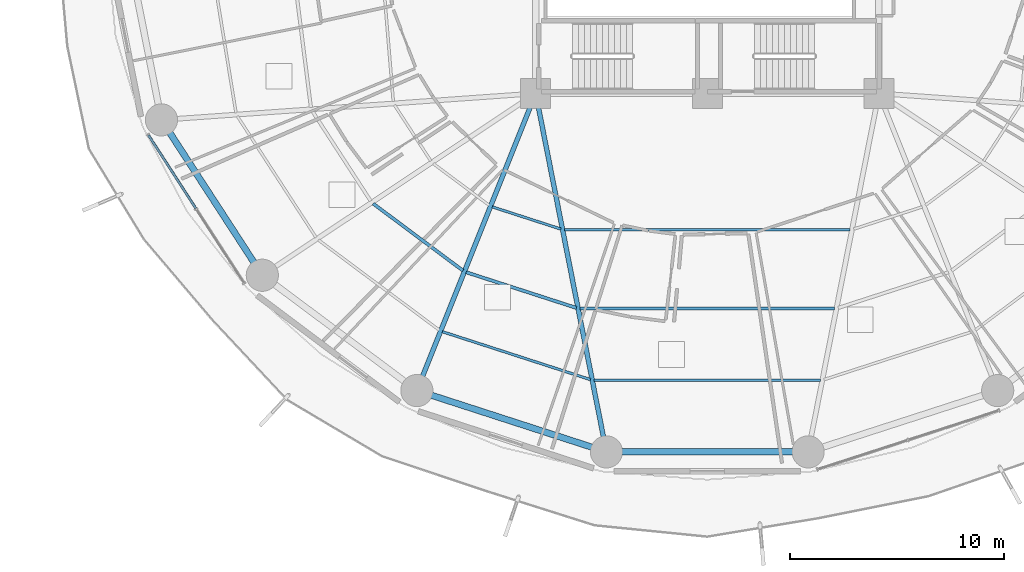
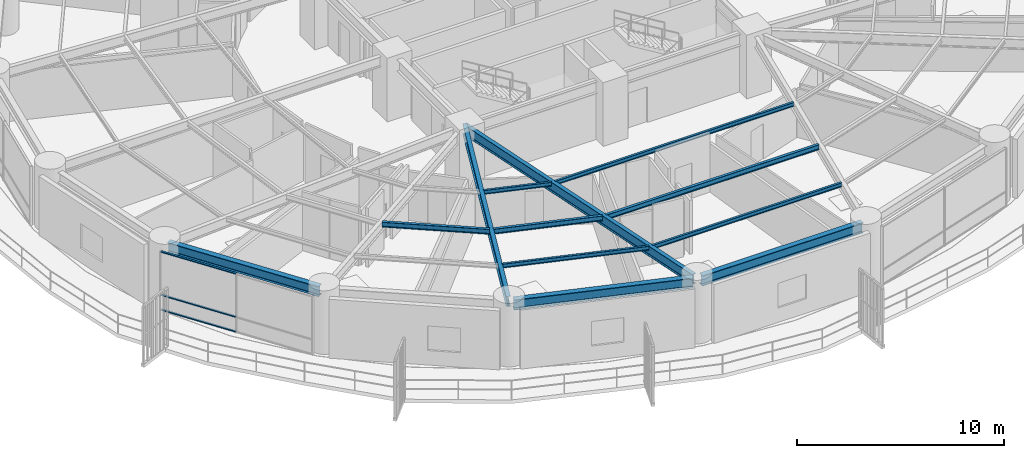
# One storey, part 3 of 34: 12 beams, 3 members, 1 element without a shape of its own.
"""IFC4 building model written with IfcOpenShell, lengths in metres."""

from ifc_helpers import new_model, si_unit, direction, frame, origin, origin_2d, place, context, subcontext, project, spatial, hollow_rectangle, i_section, extrude, material, layer, layer_set, material_profile, profile_set, type_object, element, aggregate, save


model = new_model("IFC4")

# Units and contexts
model_context = context("Model", 3, precision=1e-05, world=origin(), true_north=direction((0.0, 1.0)))
body_context = subcontext(model_context, "Body", "Model", "MODEL_VIEW")
ifc_project = project(units=[si_unit("LENGTHUNIT", "METRE"), si_unit("AREAUNIT", "SQUARE_METRE"), si_unit("VOLUMEUNIT", "CUBIC_METRE"), si_unit("PLANEANGLEUNIT", "RADIAN"), si_unit("MASSUNIT", "GRAM", prefix="KILO")], contexts=[model_context])

# Site, building, storey
site_placement = place(None, origin())
site = spatial("IfcSite", under=ifc_project, at=site_placement, CompositionType="ELEMENT")
building_placement = place(site_placement, origin())
building = spatial("IfcBuilding", under=site, at=building_placement, Name="Kelanora Arch Commons", CompositionType="ELEMENT")
storey_placement = place(building_placement, frame((0.0, 0.0, 33.75)))
storey = spatial("IfcBuildingStorey", under=building, at=storey_placement, Name="L08", CompositionType="ELEMENT", Elevation=33.75)

# Beams
ifc_material_1 = material(Name="Steel S355", Category="steel")
ifc_material_profile_1 = material_profile(ifc_material_1, i_section(OverallWidth=0.14990234375, OverallDepth=0.300048828125, WebThickness=0.007080078125, FlangeThickness=0.0107421875, FilletRadius=0.014892578125, at=origin_2d()), Name="IPE300")
ifc_profile_set_1 = profile_set([ifc_material_profile_1], Name="Steel S355")
beam_type_1 = type_object("IfcBeamType", Name="BM-JST-01", PredefinedType="JOIST", material=ifc_profile_set_1)
beam_1_placement = place(storey_placement, frame((58.42138671875, 45.8623046875, 3.340087890625), z_axis=(0.801478251559, -0.598023922831, 0.0), x_axis=(0.598023922831, 0.801478251559, 0.0)))
element("IfcBeam", 1, at=beam_1_placement, inside=storey, type_object=beam_type_1, Name="Secondary Chord Joist BJB-22 L08", PredefinedType="JOIST", context=body_context, shape_type="SweptSolid", body=[
    extrude(i_section(OverallWidth=0.14990234375, OverallDepth=0.300048828125, WebThickness=0.007080078125, FlangeThickness=0.0107421875, FilletRadius=0.014892578125, at=origin_2d()), origin(), (0.0, 0.0, 1.0), 5.223388671875),
])
beam_2_placement = place(storey_placement, frame((62.7568359375, 42.66162109375, 3.340087890625), z_axis=(0.951412209627, -0.307920131482, 0.0), x_axis=(0.307920131482, 0.951412209627, 0.0)))
element("IfcBeam", 2, at=beam_2_placement, inside=storey, type_object=beam_type_1, Name="Secondary Chord Joist BJB-24 L08", PredefinedType="JOIST", context=body_context, shape_type="SweptSolid", body=[
    extrude(i_section(OverallWidth=0.14990234375, OverallDepth=0.300048828125, WebThickness=0.007080078125, FlangeThickness=0.0107421875, FilletRadius=0.014892578125, at=origin_2d()), origin(), (0.0, 0.0, 1.0), 5.4033203125),
])
beam_3_placement = place(storey_placement, frame((68.063720703125, 40.971435546875, 3.340087890625), z_axis=(1.0, 0.0, 0.0), x_axis=(0.0, 1.0, 0.0)))
element("IfcBeam", 3, at=beam_3_placement, inside=storey, type_object=beam_type_1, Name="Secondary Chord Joist BJB-26 L08", PredefinedType="JOIST", context=body_context, shape_type="SweptSolid", body=[
    extrude(i_section(OverallWidth=0.14990234375, OverallDepth=0.300048828125, WebThickness=0.007080078125, FlangeThickness=0.0107421875, FilletRadius=0.014892578125, at=origin_2d()), origin(), (0.0, 0.0, 1.0), 11.87255859375),
])
ifc_material_profile_2 = material_profile(ifc_material_1, i_section(OverallWidth=0.1201171875, OverallDepth=0.239990234375, WebThickness=0.006103515625, FlangeThickness=0.009765625, FilletRadius=0.014892578125, at=origin_2d()), Name="IPE240")
ifc_profile_set_2 = profile_set([ifc_material_profile_2], Name="Steel S355")
beam_type_2 = type_object("IfcBeamType", Name="BM-JST-02", PredefinedType="JOIST", material=ifc_profile_set_2)
beam_4_placement = place(storey_placement, frame((63.9755859375, 45.709228515625, 3.3701171875), z_axis=(0.951422608074, -0.30788800049, 0.0), x_axis=(0.30788800049, 0.951422608074, 0.0)))
element("IfcBeam", 4, at=beam_4_placement, inside=storey, type_object=beam_type_2, Name="Secondary Chord Joist BJA-24 L08", PredefinedType="JOIST", context=body_context, shape_type="SweptSolid", body=[
    extrude(i_section(OverallWidth=0.1201171875, OverallDepth=0.239990234375, WebThickness=0.006103515625, FlangeThickness=0.009765625, FilletRadius=0.014892578125, at=origin_2d()), origin(), (0.0, 0.0, 1.0), 3.359619140625),
])
beam_5_placement = place(storey_placement, frame((61.64892578125, 39.890625, 3.3701171875), z_axis=(0.951410915705, -0.307924129418, 0.0), x_axis=(0.307924129418, 0.951410915705, 0.0)))
element("IfcBeam", 5, at=beam_5_placement, inside=storey, type_object=beam_type_2, Name="Secondary Chord Joist BJC-24 L08", PredefinedType="JOIST", context=body_context, shape_type="SweptSolid", body=[
    extrude(i_section(OverallWidth=0.1201171875, OverallDepth=0.239990234375, WebThickness=0.006103515625, FlangeThickness=0.009765625, FilletRadius=0.014892578125, at=origin_2d()), origin(), (0.0, 0.0, 1.0), 7.260986328125),
])
beam_6_placement = place(storey_placement, frame((67.338134765625, 44.648681640625, 3.3701171875), z_axis=(1.0, 0.0, 0.0), x_axis=(0.0, 1.0, 0.0)))
element("IfcBeam", 6, at=beam_6_placement, inside=storey, type_object=beam_type_2, Name="Secondary Chord Joist BJA-26 L08", PredefinedType="JOIST", context=body_context, shape_type="SweptSolid", body=[
    extrude(i_section(OverallWidth=0.1201171875, OverallDepth=0.239990234375, WebThickness=0.006103515625, FlangeThickness=0.009765625, FilletRadius=0.014892578125, at=origin_2d()), origin(), (0.0, 0.0, 1.0), 13.32373046875),
])
beam_7_placement = place(storey_placement, frame((68.72314453125, 37.628662109375, 3.3701171875), z_axis=(1.0, 0.0, 0.0), x_axis=(0.0, 1.0, 0.0)))
element("IfcBeam", 7, at=beam_7_placement, inside=storey, type_object=beam_type_2, Name="Secondary Chord Joist BJC-26 L08", PredefinedType="JOIST", context=body_context, shape_type="SweptSolid", body=[
    extrude(i_section(OverallWidth=0.1201171875, OverallDepth=0.239990234375, WebThickness=0.006103515625, FlangeThickness=0.009765625, FilletRadius=0.014892578125, at=origin_2d()), origin(), (0.0, 0.0, 1.0), 10.5537109375),
])
ifc_material_profile_3 = material_profile(ifc_material_1, i_section(OverallWidth=0.219970703125, OverallDepth=0.60009765625, WebThickness=0.011962890625, FlangeThickness=0.01904296875, FilletRadius=0.02392578125, at=origin_2d()), Name="IPE600")
ifc_profile_set_3 = profile_set([ifc_material_profile_3], Name="Steel S355")
beam_type_3 = type_object("IfcBeamType", Name="BM-RAD-Z1", PredefinedType="BEAM", material=ifc_profile_set_3)
beam_8_placement = place(storey_placement, frame((66.0, 51.0, 3.18994140625), z_axis=(-0.371296182896, -0.928514482691, 0.0), x_axis=(0.928514482691, -0.371296182896, 0.0)))
element("IfcBeam", 8, at=beam_8_placement, inside=storey, type_object=beam_type_3, Name="Radial Floor Girder BR-24 L08", PredefinedType="BEAM", context=body_context, shape_type="SweptSolid", body=[
    extrude(i_section(OverallWidth=0.219970703125, OverallDepth=0.60009765625, WebThickness=0.011962890625, FlangeThickness=0.01904296875, FilletRadius=0.02392578125, at=origin_2d()), origin(), (0.0, 0.0, 1.0), 14.700439453125),
])
beam_9_placement = place(storey_placement, frame((66.0, 51.0, 3.18994140625), z_axis=(0.193555256292, -0.981089375522, 0.0), x_axis=(0.981089375522, 0.193555256292, 0.0)))
element("IfcBeam", 9, at=beam_9_placement, inside=storey, type_object=beam_type_3, Name="Radial Floor Girder BR-26 L08", PredefinedType="BEAM", context=body_context, shape_type="SweptSolid", body=[
    extrude(i_section(OverallWidth=0.219970703125, OverallDepth=0.60009765625, WebThickness=0.011962890625, FlangeThickness=0.01904296875, FilletRadius=0.02392578125, at=origin_2d()), origin(), (0.0, 0.0, 1.0), 16.81640625),
])
ifc_material_profile_4 = material_profile(ifc_material_1, i_section(OverallWidth=0.300048828125, OverallDepth=0.60009765625, WebThickness=0.015380859375, FlangeThickness=0.030029296875, FilletRadius=0.027099609375, at=origin_2d()), Name="HEB600")
ifc_profile_set_4 = profile_set([ifc_material_profile_4], Name="Steel S355")
beam_type_4 = type_object("IfcBeamType", Name="BM-SPN-Z1", PredefinedType="SPANDREL", material=ifc_profile_set_4)
beam_10_placement = place(storey_placement, frame((48.6728515625, 49.57958984375, 3.18994140625), z_axis=(0.544580949539, -0.838708286235, 0.0), x_axis=(0.838708286235, 0.544580949539, 0.0)))
element("IfcBeam", 10, at=beam_10_placement, inside=storey, type_object=beam_type_4, Name="Perimeter Spandrel Beam BS-20 L08", PredefinedType="SPANDREL", context=body_context, shape_type="SweptSolid", body=[
    extrude(i_section(OverallWidth=0.300048828125, OverallDepth=0.60009765625, WebThickness=0.015380859375, FlangeThickness=0.030029296875, FilletRadius=0.027099609375, at=origin_2d()), origin(), (0.0, 0.0, 1.0), 8.195068359375),
])
beam_11_placement = place(storey_placement, frame((60.669189453125, 37.078369140625, 3.18994140625), z_axis=(0.951411479564, -0.307922387224, 0.0), x_axis=(0.307922387224, 0.951411479564, 0.0)))
element("IfcBeam", 11, at=beam_11_placement, inside=storey, type_object=beam_type_4, Name="Perimeter Spandrel Beam BS-24 L08", PredefinedType="SPANDREL", context=body_context, shape_type="SweptSolid", body=[
    extrude(i_section(OverallWidth=0.300048828125, OverallDepth=0.60009765625, WebThickness=0.015380859375, FlangeThickness=0.030029296875, FilletRadius=0.027099609375, at=origin_2d()), origin(), (0.0, 0.0, 1.0), 8.84912109375),
])
beam_12_placement = place(storey_placement, frame((69.517578125, 34.285888671875, 3.18994140625), z_axis=(1.0, 0.0, 0.0), x_axis=(0.0, 1.0, 0.0)))
element("IfcBeam", 12, at=beam_12_placement, inside=storey, type_object=beam_type_4, Name="Perimeter Spandrel Beam BS-26 L08", PredefinedType="SPANDREL", context=body_context, shape_type="SweptSolid", body=[
    extrude(i_section(OverallWidth=0.300048828125, OverallDepth=0.60009765625, WebThickness=0.015380859375, FlangeThickness=0.030029296875, FilletRadius=0.027099609375, at=origin_2d()), origin(), (0.0, 0.0, 1.0), 8.96484375),
])

# Curtain wall, members
ifc_material_2 = material(Name="Terracotta ceramic-fritted low-E glass and aluminium", Category="masonry")
ifc_layer = layer(ifc_material_2, 0.159912109375)
ifc_layer_set = layer_set([ifc_layer], Name="Terracotta ceramic-fritted low-E glass and aluminium")
curtain_wall_type = type_object("IfcCurtainWallType", Name="CW-SYS-01", PredefinedType="NOTDEFINED", material=ifc_layer_set)
curtain_wall_placement = place(storey_placement, origin())
curtain_wall = element("IfcCurtainWall", 13, at=curtain_wall_placement, inside=storey, type_object=curtain_wall_type, Name="Unitised Curtain Wall L08-B10", PredefinedType="NOTDEFINED")
ifc_material_3 = material(Name="Powder-coated aluminium terracotta", Category="masonry")
ifc_material_profile_5 = material_profile(ifc_material_3, hollow_rectangle(XDim=0.1201171875, YDim=0.06005859375, WallThickness=0.0048828125, InnerFilletRadius=0.0048828125, OuterFilletRadius=0.010009765625, at=origin_2d()), Name="CWT120x60")
ifc_profile_set_5 = profile_set([ifc_material_profile_5], Name="Powder-coated aluminium terracotta")
member_type = type_object("IfcMemberType", Name="CWT-STD", PredefinedType="USERDEFINED", material=ifc_profile_set_5)
member_1_placement = place(storey_placement, frame((47.944091796875, 49.054443359375, 0.030029296875), z_axis=(0.542997414293, -0.839734367566, 0.0), x_axis=(0.839734367566, 0.542997414293, 0.0)))
member_1 = element("IfcMember", 14, at=member_1_placement, type_object=member_type, Name="CW-01 transom 1.1", ObjectType="TRANSOM", PredefinedType="USERDEFINED", context=body_context, shape_type="SweptSolid", body=[
    extrude(hollow_rectangle(XDim=0.1201171875, YDim=0.06005859375, WallThickness=0.0048828125, InnerFilletRadius=0.0048828125, OuterFilletRadius=0.010009765625, at=origin_2d()), origin(), (0.0, 0.0, 1.0), 4.067626953125),
])
member_2_placement = place(storey_placement, frame((47.944091796875, 49.054443359375, 0.89990234375), z_axis=(0.542997414293, -0.839734367566, 0.0), x_axis=(0.839734367566, 0.542997414293, 0.0)))
member_2 = element("IfcMember", 15, at=member_2_placement, type_object=member_type, Name="CW-01 transom 1.2", ObjectType="TRANSOM", PredefinedType="USERDEFINED", context=body_context, shape_type="SweptSolid", body=[
    extrude(hollow_rectangle(XDim=0.1201171875, YDim=0.06005859375, WallThickness=0.0048828125, InnerFilletRadius=0.0048828125, OuterFilletRadius=0.010009765625, at=origin_2d()), origin(), (0.0, 0.0, 1.0), 4.067626953125),
])
member_3_placement = place(storey_placement, frame((47.944091796875, 49.054443359375, 3.445068359375), z_axis=(0.542997414293, -0.839734367566, 0.0), x_axis=(0.839734367566, 0.542997414293, 0.0)))
member_3 = element("IfcMember", 16, at=member_3_placement, type_object=member_type, Name="CW-01 transom 1.3", ObjectType="TRANSOM", PredefinedType="USERDEFINED", context=body_context, shape_type="SweptSolid", body=[
    extrude(hollow_rectangle(XDim=0.1201171875, YDim=0.06005859375, WallThickness=0.0048828125, InnerFilletRadius=0.0048828125, OuterFilletRadius=0.010009765625, at=origin_2d()), origin(), (0.0, 0.0, 1.0), 4.067626953125),
])
aggregate(curtain_wall, [member_1, member_2, member_3])

save(model, "model.ifc")
